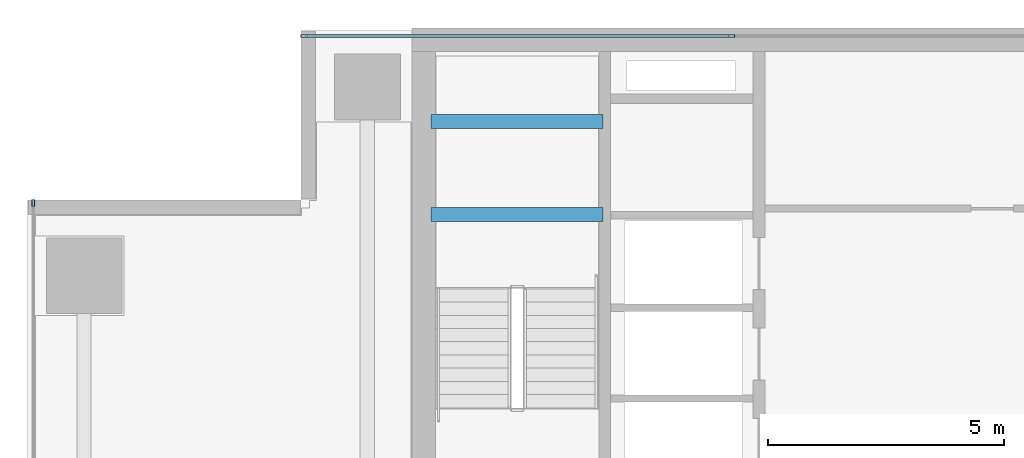
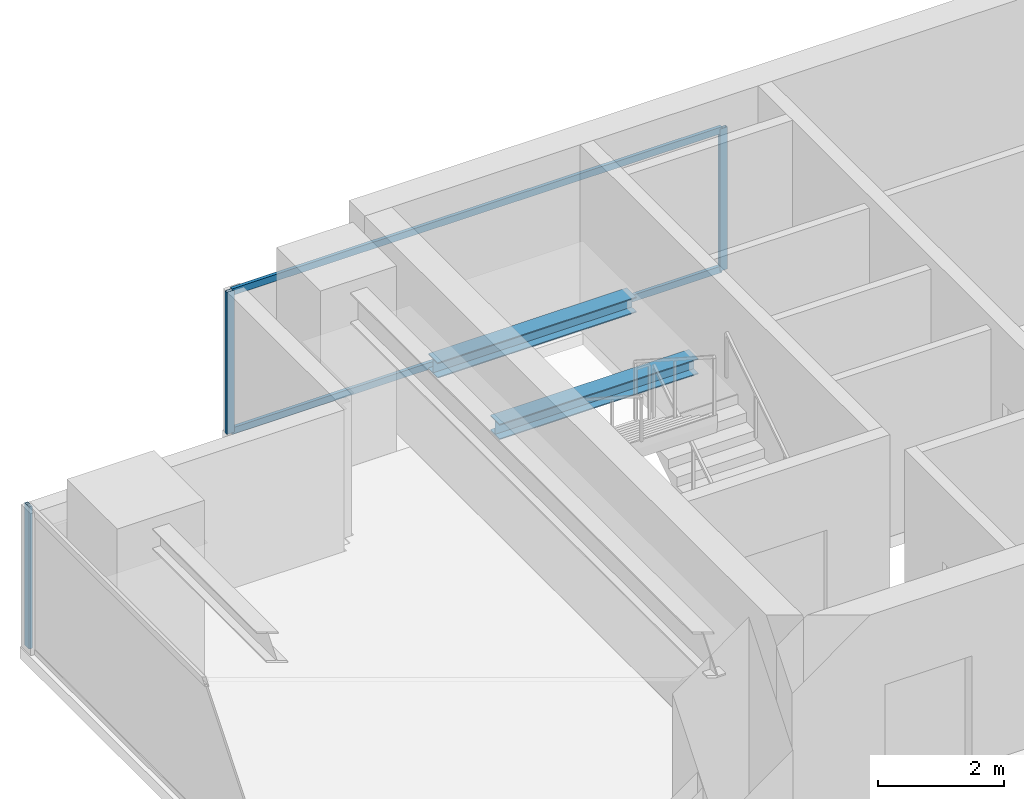
# One storey, part 19 of 29: 5 members, 2 beams, 2 elements without a shape of their own.
"""IFC4 building model written with IfcOpenShell, lengths in metres."""

from ifc_helpers import new_model, si_unit, direction, frame, origin, origin_2d, place, context, subcontext, project, spatial, hollow_rectangle, i_section, extrude, source, transform, mapped, material, layer, layer_set, material_profile, profile_set, type_object, element, aggregate, save


model = new_model("IFC4")

# Units and contexts
model_context = context("Model", 3, precision=1e-05, world=origin(), true_north=direction((0.0, 1.0)))
body_context = subcontext(model_context, "Body", "Model", "MODEL_VIEW")
ifc_project = project(units=[si_unit("LENGTHUNIT", "METRE"), si_unit("AREAUNIT", "SQUARE_METRE"), si_unit("VOLUMEUNIT", "CUBIC_METRE"), si_unit("PLANEANGLEUNIT", "RADIAN"), si_unit("MASSUNIT", "GRAM", prefix="KILO")], contexts=[model_context])

# Site, building, storey
site_placement = place(None, origin())
site = spatial("IfcSite", under=ifc_project, at=site_placement, CompositionType="ELEMENT")
building_placement = place(site_placement, origin())
building = spatial("IfcBuilding", under=site, at=building_placement, Name="Sumidabori Civic Tower", CompositionType="ELEMENT")
storey_placement = place(building_placement, frame((0.0, 0.0, 218.0)))
storey = spatial("IfcBuildingStorey", under=building, at=storey_placement, Name="L56", CompositionType="ELEMENT", Elevation=218.0)

# Beams
ifc_material_1 = material(Name="Steel SN490", Category="steel")
ifc_material_profile_1 = material_profile(ifc_material_1, i_section(OverallWidth=0.300048828125, OverallDepth=0.300048828125, WebThickness=0.010986328125, FlangeThickness=0.01904296875, at=origin_2d()), Name="HE 300 B")
ifc_profile_set_1 = profile_set([ifc_material_profile_1], Name="Steel SN490")
beam_type = type_object("IfcBeamType", Name="BM-LDG-300", PredefinedType="BEAM", material=ifc_profile_set_1)
shared_shape_1 = source(origin(), body_context, "Body", "SweptSolid", [
    extrude(i_section(OverallWidth=0.300048828125, OverallDepth=0.300048828125, WebThickness=0.010986328125, FlangeThickness=0.01904296875, at=origin_2d()), origin(), (0.0, 0.0, 1.0), 3.64990234375),
])
for number, where, z_axis, x_axis, name in (
    (1, (-15.449951171875, 20.09765625, 1.449951171875), (1.0, 0.0, 0.0), (0.0, 1.0, 0.0), "Stair ST-1 Landing Support Beam L56-1A"),
    (2, (-15.449951171875, 22.069580078125, 1.449951171875), (1.0, 0.0, 0.0), (0.0, 1.0, 0.0), "Stair ST-1 Landing Trimmer Beam L56-1B"),
):
    element("IfcBeam", number, at=place(storey_placement, frame(where, z_axis=z_axis, x_axis=x_axis)), inside=storey, type_object=beam_type, Name=name, PredefinedType="BEAM", context=body_context, shape_type="MappedRepresentation", body=[
        mapped(shared_shape_1, transform((0.0, 0.0, 0.0), x_axis=(1.0, 0.0, 0.0), y_axis=(0.0, 1.0, 0.0), z_axis=(0.0, 0.0, 1.0), scale=1.0)),
    ])

# Curtain wall, members
ifc_material_2 = material(Name="Anodised Bronze Aluminium AW-6063-T6", Category="aluminium")
ifc_layer = layer(ifc_material_2, 0.179931640625, Name="Anodised Bronze Aluminium AW-6063-T6")
ifc_layer_set = layer_set([ifc_layer], Name="Anodised Bronze Aluminium AW-6063-T6")
curtain_wall_type = type_object("IfcCurtainWallType", Name="CW-SYS-5", PredefinedType="NOTDEFINED", material=ifc_layer_set)
curtain_wall_1_placement = place(storey_placement, origin())
curtain_wall_1 = element("IfcCurtainWall", 3, at=curtain_wall_1_placement, inside=storey, type_object=curtain_wall_type, Name="Curtain Wall CW:L56:R13", PredefinedType="NOTDEFINED")
ifc_material_profile_2 = material_profile(ifc_material_2, hollow_rectangle(XDim=0.06005859375, YDim=0.139892578125, WallThickness=0.0048828125, at=origin_2d()), Name="ALU MULLION 140x60")
ifc_profile_set_2 = profile_set([ifc_material_profile_2], Name="Anodised Bronze Aluminium AW-6063-T6")
member_type_1 = type_object("IfcMemberType", Name="CW-MUL-140", PredefinedType="MULLION", material=ifc_profile_set_2)
shared_shape_2 = source(origin(), body_context, "Body", "SweptSolid", [
    extrude(hollow_rectangle(XDim=0.06005859375, YDim=0.139892578125, WallThickness=0.0048828125, at=origin_2d()), origin(), (0.0, 0.0, 1.0), 2.760009765625),
])
member_1_placement = place(storey_placement, frame((-9.0849609375, 23.8798828125, 0.0), z_axis=(0.0, 0.0, 1.0), x_axis=(0.0, -1.0, 0.0)))
member_1 = element("IfcMember", 4, at=member_1_placement, type_object=member_type_1, Name="CW-5 mullion 4", PredefinedType="MULLION", context=body_context, shape_type="MappedRepresentation", body=[
    mapped(shared_shape_2, transform((0.0, 0.0, 0.0), x_axis=(1.0, 0.0, 0.0), y_axis=(0.0, 1.0, 0.0), z_axis=(0.0, 0.0, 1.0), scale=1.0)),
])
member_2_placement = place(storey_placement, frame((-18.139892578125, 23.8798828125, 0.0), z_axis=(0.0, 0.0, 1.0), x_axis=(0.0, -1.0, 0.0)))
member_2 = element("IfcMember", 5, at=member_2_placement, type_object=member_type_1, Name="CW-5 mullion 5", PredefinedType="MULLION", context=body_context, shape_type="MappedRepresentation", body=[
    mapped(shared_shape_2, transform((0.0, 0.0, 0.0), x_axis=(1.0, 0.0, 0.0), y_axis=(0.0, 1.0, 0.0), z_axis=(0.0, 0.0, 1.0), scale=1.0)),
])

# Curtain wall, member
curtain_wall_2_placement = place(storey_placement, origin())
curtain_wall_2 = element("IfcCurtainWall", 6, at=curtain_wall_2_placement, inside=storey, type_object=curtain_wall_type, Name="Curtain Wall CW:L56:R16", PredefinedType="NOTDEFINED")
member_3_placement = place(storey_placement, frame((-23.8798828125, 20.340087890625, 0.0), z_axis=(0.0, 0.0, 1.0), x_axis=(1.0, 0.0, 0.0)))
member_3 = element("IfcMember", 7, at=member_3_placement, type_object=member_type_1, Name="CW-5 mullion 1", PredefinedType="MULLION", context=body_context, shape_type="MappedRepresentation", body=[
    mapped(shared_shape_2, transform((0.0, 0.0, 0.0), x_axis=(1.0, 0.0, 0.0), y_axis=(0.0, 1.0, 0.0), z_axis=(0.0, 0.0, 1.0), scale=1.0)),
])
aggregate(curtain_wall_2, [member_3])

# Member
ifc_material_profile_3 = material_profile(ifc_material_2, hollow_rectangle(XDim=0.06005859375, YDim=0.1298828125, WallThickness=0.0048828125, at=origin_2d()), Name="ALU TRANSOM 130x60")
ifc_profile_set_3 = profile_set([ifc_material_profile_3], Name="Anodised Bronze Aluminium AW-6063-T6")
member_type_2 = type_object("IfcMemberType", Name="CW-TRN-130", PredefinedType="USERDEFINED", material=ifc_profile_set_3)
shared_shape_3 = source(origin(), body_context, "Body", "SweptSolid", [
    extrude(hollow_rectangle(XDim=0.06005859375, YDim=0.1298828125, WallThickness=0.0048828125, at=origin_2d()), origin(), (0.0, 0.0, 1.0), 8.9951171875),
])
member_4_placement = place(storey_placement, frame((-9.114990234375, 23.8798828125, 0.030029296875), z_axis=(-1.0, 0.0, 0.0), x_axis=(0.0, -1.0, 0.0)))
member_4 = element("IfcMember", 8, at=member_4_placement, type_object=member_type_2, Name="CW-5 transom 4.1", ObjectType="TRANSOM", PredefinedType="USERDEFINED", context=body_context, shape_type="MappedRepresentation", body=[
    mapped(shared_shape_3, transform((0.0, 0.0, 0.0), x_axis=(1.0, 0.0, 0.0), y_axis=(0.0, 1.0, 0.0), z_axis=(0.0, 0.0, 1.0), scale=1.0)),
])

member_5_placement = place(storey_placement, frame((-9.114990234375, 23.8798828125, 2.72998046875), z_axis=(-1.0, 0.0, 0.0), x_axis=(0.0, -1.0, 0.0)))
member_5 = element("IfcMember", 9, at=member_5_placement, type_object=member_type_2, Name="CW-5 transom 4.2", ObjectType="TRANSOM", PredefinedType="USERDEFINED", context=body_context, shape_type="MappedRepresentation", body=[
    mapped(shared_shape_3, transform((0.0, 0.0, 0.0), x_axis=(1.0, 0.0, 0.0), y_axis=(0.0, 1.0, 0.0), z_axis=(0.0, 0.0, 1.0), scale=1.0)),
])

aggregate(curtain_wall_1, [member_1, member_2, member_4, member_5])

save(model, "model.ifc")
